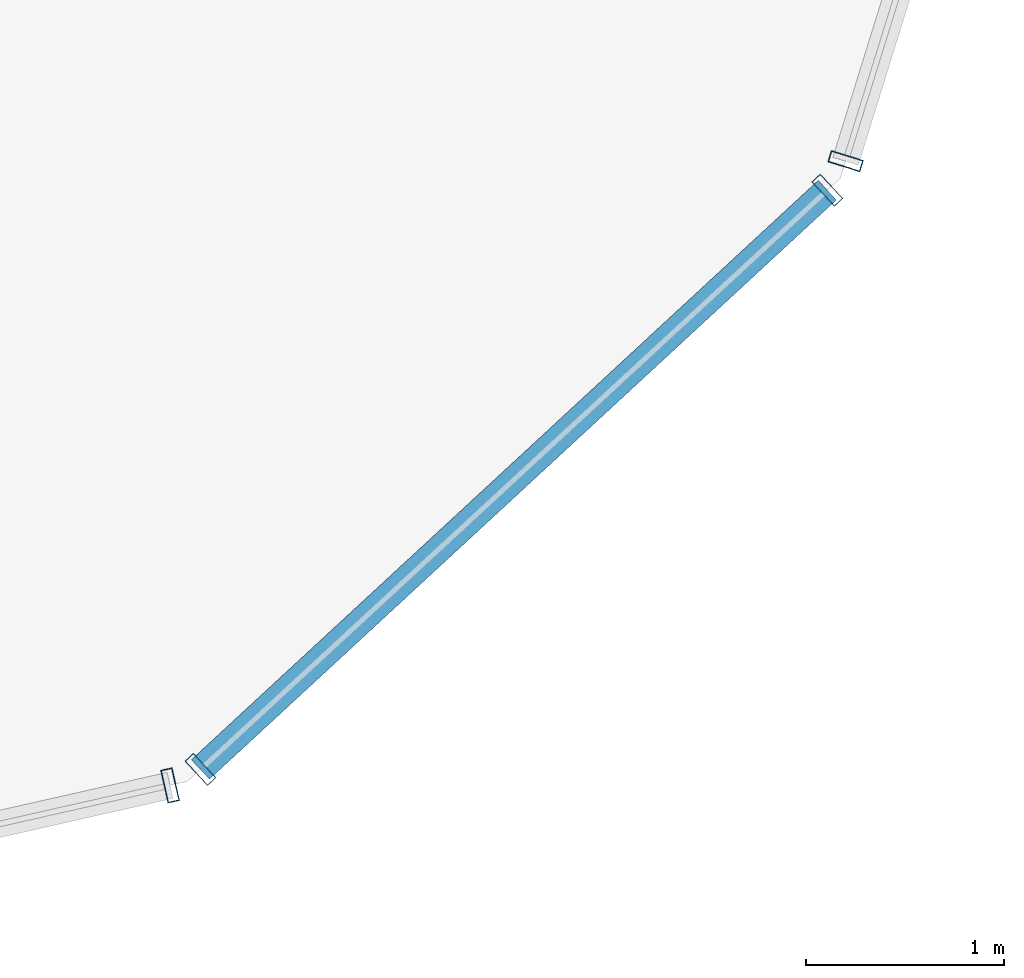
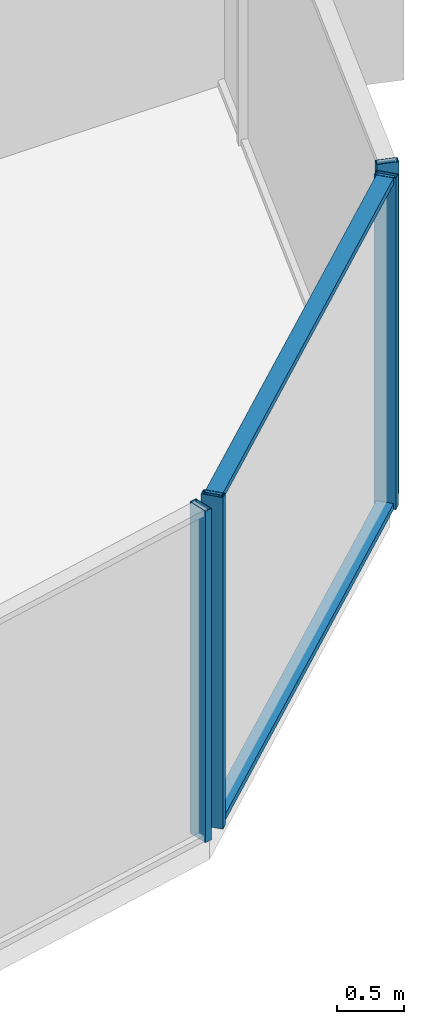
# One storey, part 14 of 39: 6 members, 3 elements without a shape of their own.
"""IFC4 building model written with IfcOpenShell, lengths in metres."""

from ifc_helpers import new_model, si_unit, direction, frame, origin, origin_2d, place, context, subcontext, project, spatial, hollow_rectangle, extrude, source, transform, mapped, material, layer, layer_set, material_profile, profile_set, type_object, element, aggregate, save


model = new_model("IFC4")

# Units and contexts
model_context = context("Model", 3, precision=1e-05, world=origin(), true_north=direction((0.0, 1.0)))
body_context = subcontext(model_context, "Body", "Model", "MODEL_VIEW")
ifc_project = project(units=[si_unit("LENGTHUNIT", "METRE"), si_unit("AREAUNIT", "SQUARE_METRE"), si_unit("VOLUMEUNIT", "CUBIC_METRE"), si_unit("PLANEANGLEUNIT", "RADIAN"), si_unit("MASSUNIT", "GRAM", prefix="KILO")], contexts=[model_context])

# Site, building, storey
site_placement = place(None, origin())
site = spatial("IfcSite", under=ifc_project, at=site_placement, CompositionType="ELEMENT")
building_placement = place(site_placement, origin())
building = spatial("IfcBuilding", under=site, at=building_placement, Name="Veraguas Prism Commons", CompositionType="ELEMENT")
storey_placement = place(building_placement, frame((0.0, 0.0, 67.35009765625)))
storey = spatial("IfcBuildingStorey", under=building, at=storey_placement, Name="L18", CompositionType="ELEMENT", Elevation=67.35009765625)

# Curtain wall, member
ifc_material = material(Name="Anodised aluminium EN AW-6063 T6", Category="aluminium")
ifc_layer = layer(ifc_material, 0.169921875, Name="Unitised Flush Curtain Wall Zone 1", Category="aluminium")
ifc_layer_set = layer_set([ifc_layer], Name="Anodised aluminium EN AW-6063 T6")
curtain_wall_type = type_object("IfcCurtainWallType", Name="Unitised Flush Curtain Wall Zone 1", PredefinedType="NOTDEFINED", material=ifc_layer_set)
curtain_wall_1_placement = place(storey_placement, origin())
curtain_wall_1 = element("IfcCurtainWall", 1, at=curtain_wall_1_placement, inside=storey, type_object=curtain_wall_type, Name="Tower Facade Curtain Wall L18-F5", PredefinedType="NOTDEFINED")
ifc_material_profile_1 = material_profile(ifc_material, hollow_rectangle(XDim=0.06005859375, YDim=0.169921875, WallThickness=0.00390625, at=origin_2d()), Name="AL60X170X4")
ifc_profile_set_1 = profile_set([ifc_material_profile_1], Name="Anodised aluminium EN AW-6063 T6")
member_type_1 = type_object("IfcMemberType", Name="Curtain Wall Mullion Lower AL 60x170x4", PredefinedType="MULLION", material=ifc_profile_set_1)
shared_shape_1 = source(origin(), body_context, "Body", "SweptSolid", [
    extrude(hollow_rectangle(XDim=0.06005859375, YDim=0.169921875, WallThickness=0.00390625, at=origin_2d()), origin(), (0.0, 0.0, 1.0), 3.0),
])
member_1_placement = place(storey_placement, frame((37.666259765625, 5.78076171875, 0.0), z_axis=(0.0, 0.0, 1.0), x_axis=(0.975379669931, 0.220532309392, 0.0)))
member_1 = element("IfcMember", 2, at=member_1_placement, type_object=member_type_1, Name="CW-Z1 Mullion 5", PredefinedType="MULLION", context=body_context, shape_type="MappedRepresentation", body=[
    mapped(shared_shape_1, transform((0.0, 0.0, 0.0), scale=1.0)),
])
aggregate(curtain_wall_1, [member_1])

curtain_wall_2_placement = place(storey_placement, origin())
curtain_wall_2 = element("IfcCurtainWall", 3, at=curtain_wall_2_placement, inside=storey, type_object=curtain_wall_type, Name="Tower Facade Curtain Wall L18-F6", PredefinedType="NOTDEFINED")
member_2_placement = place(storey_placement, frame((41.085693359375, 8.9404296875, 0.0), z_axis=(0.0, 0.0, 1.0), x_axis=(0.296709919616, 0.954967655788, 0.0)))
member_2 = element("IfcMember", 4, at=member_2_placement, type_object=member_type_1, Name="CW-Z1 Mullion 1", PredefinedType="MULLION", context=body_context, shape_type="MappedRepresentation", body=[
    mapped(shared_shape_1, transform((0.0, 0.0, 0.0), scale=1.0)),
])
aggregate(curtain_wall_2, [member_2])

# Curtain wall, members
curtain_wall_3_placement = place(storey_placement, origin())
curtain_wall_3 = element("IfcCurtainWall", 5, at=curtain_wall_3_placement, inside=storey, type_object=curtain_wall_type, Name="Chamfer Curtain Wall L18-C6", PredefinedType="NOTDEFINED")
member_3_placement = place(storey_placement, frame((37.820068359375, 5.861572265625, 0.0), z_axis=(0.0, 0.0, 1.0), x_axis=(0.734433864248, 0.67868026275, 0.0)))
member_3 = element("IfcMember", 6, at=member_3_placement, type_object=member_type_1, Name="CW-Z1 Mullion 1", PredefinedType="MULLION", context=body_context, shape_type="MappedRepresentation", body=[
    mapped(shared_shape_1, transform((0.0, 0.0, 0.0), scale=1.0)),
])
member_4_placement = place(storey_placement, frame((40.992919921875, 8.79345703125, 0.0), z_axis=(0.0, 0.0, 1.0), x_axis=(0.734433864248, 0.67868026275, 0.0)))
member_4 = element("IfcMember", 7, at=member_4_placement, type_object=member_type_1, Name="CW-Z1 Mullion 2", PredefinedType="MULLION", context=body_context, shape_type="MappedRepresentation", body=[
    mapped(shared_shape_1, transform((0.0, 0.0, 0.0), scale=1.0)),
])
ifc_material_profile_2 = material_profile(ifc_material, hollow_rectangle(XDim=0.054931640625, YDim=0.135009765625, WallThickness=0.0029296875, at=origin_2d()), Name="AL55X135X3")
ifc_profile_set_2 = profile_set([ifc_material_profile_2], Name="Anodised aluminium EN AW-6063 T6")
member_type_2 = type_object("IfcMemberType", Name="Curtain Wall Transom Standard AL 55x135x3", PredefinedType="USERDEFINED", material=ifc_profile_set_2)
shared_shape_2 = source(origin(), body_context, "Body", "SweptSolid", [
    extrude(hollow_rectangle(XDim=0.054931640625, YDim=0.135009765625, WallThickness=0.0029296875, at=origin_2d()), origin(), (0.0, 0.0, 1.0), 4.320068359375),
])
member_5_placement = place(storey_placement, frame((37.820068359375, 5.861572265625, 0.02734375), z_axis=(0.734445846777, 0.678667295625, 0.0), x_axis=(0.0, 0.0, 1.0)))
member_5 = element("IfcMember", 8, at=member_5_placement, type_object=member_type_2, Name="CW-Z1 Transom 1", ObjectType="TRANSOM", PredefinedType="USERDEFINED", context=body_context, shape_type="MappedRepresentation", body=[
    mapped(shared_shape_2, transform((0.0, 0.0, 0.0), scale=1.0)),
])
member_6_placement = place(storey_placement, frame((37.820068359375, 5.861572265625, 2.972412109375), z_axis=(0.734445846777, 0.678667295625, 0.0), x_axis=(0.0, 0.0, 1.0)))
member_6 = element("IfcMember", 9, at=member_6_placement, type_object=member_type_2, Name="CW-Z1 Transom 2", ObjectType="TRANSOM", PredefinedType="USERDEFINED", context=body_context, shape_type="MappedRepresentation", body=[
    mapped(shared_shape_2, transform((0.0, 0.0, 0.0), scale=1.0)),
])
aggregate(curtain_wall_3, [member_3, member_4, member_5, member_6])

save(model, "model.ifc")
